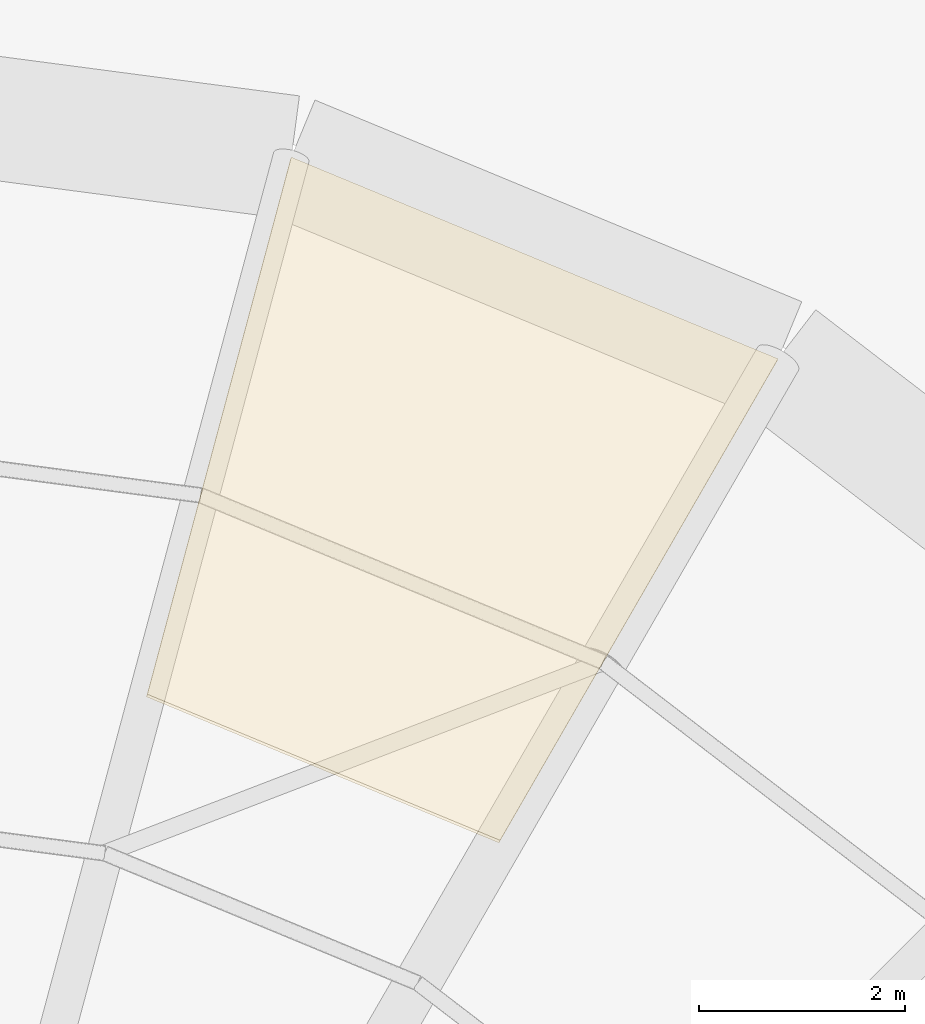
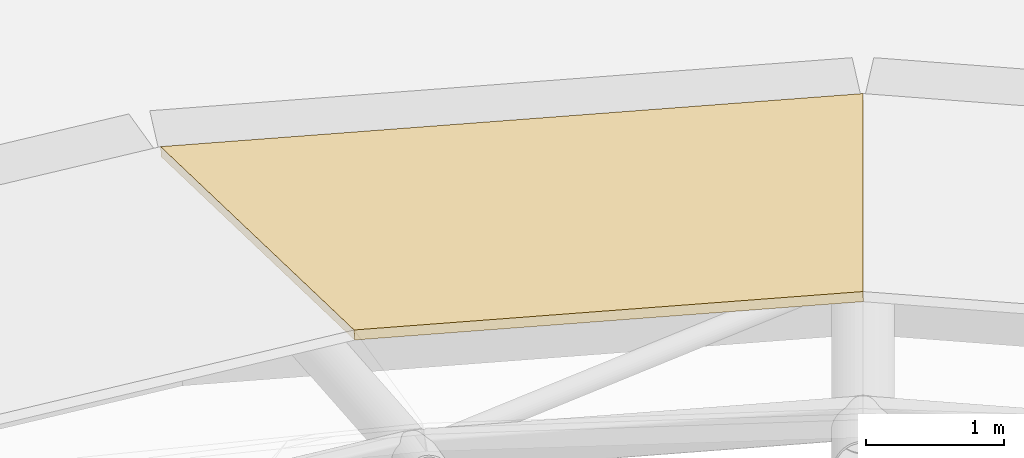
# One storey, part 25 of 25: 1 covering, 1 element without a shape of its own.
"""IFC4 building model written with IfcOpenShell, lengths in metres."""

from ifc_helpers import new_model, si_unit, direction, frame, origin, place, context, subcontext, project, spatial, polyline, outline, extrude, material, layer, layer_set, type_object, element, aggregate, save


model = new_model("IFC4")

# Units and contexts
model_context = context("Model", 3, precision=1e-05, world=origin(), true_north=direction((0.0, 1.0)))
body_context = subcontext(model_context, "Body", "Model", "MODEL_VIEW")
ifc_project = project(units=[si_unit("LENGTHUNIT", "METRE"), si_unit("AREAUNIT", "SQUARE_METRE"), si_unit("VOLUMEUNIT", "CUBIC_METRE"), si_unit("PLANEANGLEUNIT", "RADIAN"), si_unit("MASSUNIT", "GRAM", prefix="KILO")], contexts=[model_context])

# Site, building, storey
site_placement = place(None, origin())
site = spatial("IfcSite", under=ifc_project, at=site_placement, CompositionType="ELEMENT")
building_placement = place(site_placement, origin())
building = spatial("IfcBuilding", under=site, at=building_placement, Name="Marnock Terrace Opera House", CompositionType="ELEMENT")
storey_placement = place(building_placement, frame((0.0, 0.0, 28.199951171875)))
storey = spatial("IfcBuildingStorey", under=building, at=storey_placement, Name="RF", CompositionType="ELEMENT", Elevation=28.199951171875)

# Roof, covering
roof_placement = place(storey_placement, origin())
roof = element("IfcRoof", 1, at=roof_placement, inside=storey, Name="Main Auditorium steel-ribbed spherical dome", PredefinedType="DOME_ROOF")
ifc_material = material(Name="Patinated green copper-zinc standing-seam roofing")
ifc_layer = layer(ifc_material, 0.074951171875)
ifc_layer_set = layer_set([ifc_layer], Name="Patinated green copper-zinc standing-seam roofing")
covering_type = type_object("IfcCoveringType", Name="COV-DOME-GREEN", PredefinedType="ROOFING", material=ifc_layer_set)
covering_placement = place(storey_placement, frame((91.800048828125, 77.47412109375, 0.10009765625), z_axis=(0.135983771502, 0.32831772337, 0.934727707094), x_axis=(-0.923886923229, 0.3826655891, -2.425053e-06)))
covering = element("IfcCovering", 2, at=covering_placement, type_object=covering_type, Name="Dome green standing-seam gore 5.1", PredefinedType="ROOFING", context=body_context, shape_type="SweptSolid", body=[
    extrude(outline(polyline([(0.0, 0.0), (5.116748173598148, -2.220446049250313e-16), (4.411830746785007, 5.727667205970325), (0.7049037859153156, 5.727606992132527), (0.0, 0.0)])), origin(), (0.0, 0.0, -1.0), 0.074951171875),
])
aggregate(roof, [covering])

save(model, "model.ifc")
